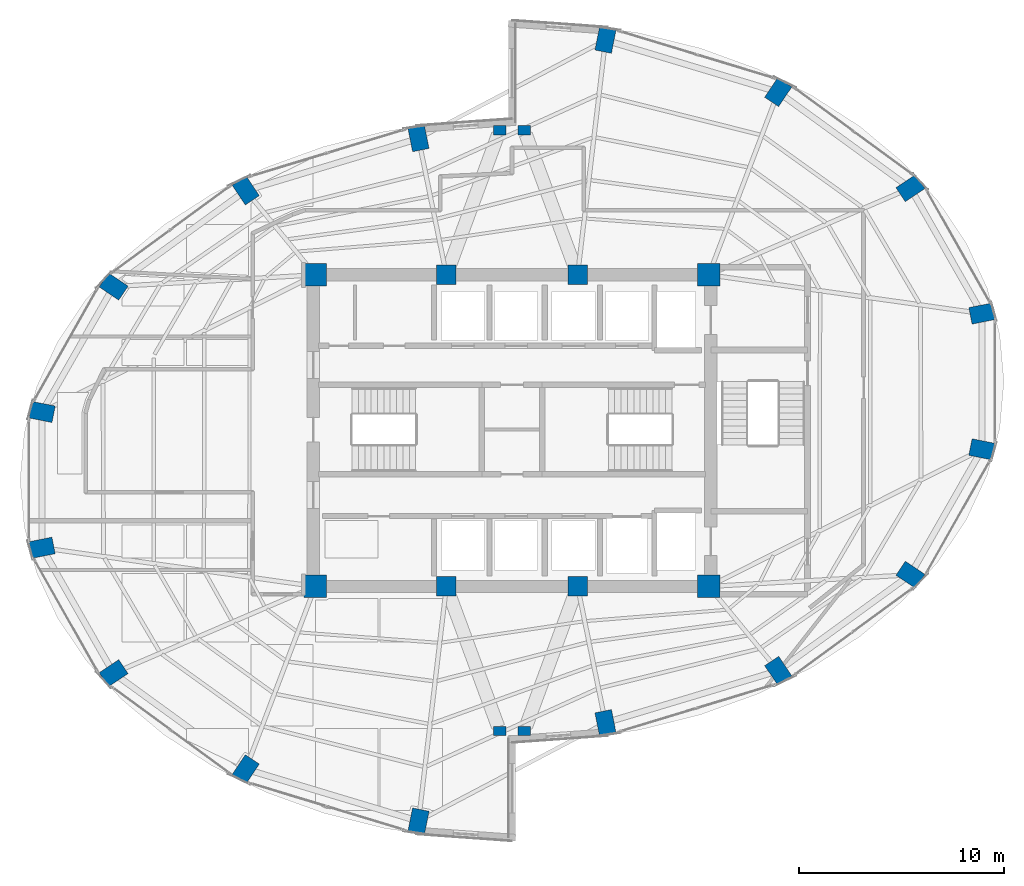
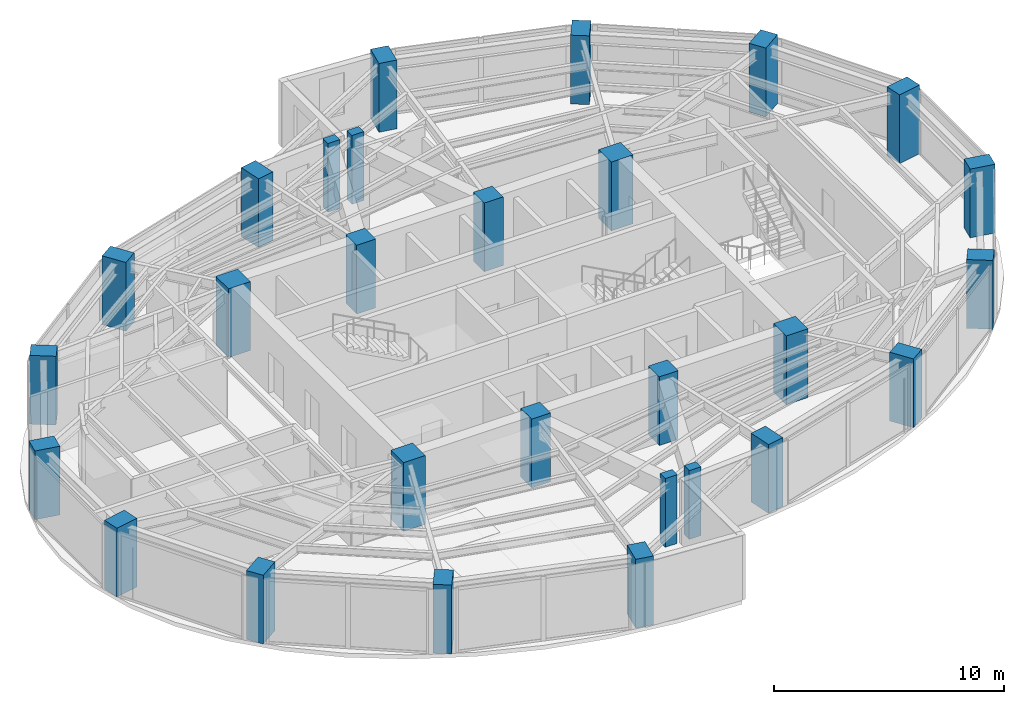
# One storey, part 1 of 20: 28 columns.
"""IFC4 building model written with IfcOpenShell, lengths in metres."""

from ifc_helpers import new_model, si_unit, direction, frame, origin, origin_2d, place, context, subcontext, project, spatial, rectangle, extrude, material, material_profile, profile_set, type_object, element, save


model = new_model("IFC4")

# Units and contexts
model_context = context("Model", 3, precision=1e-05, world=origin(), true_north=direction((0.0, 1.0)))
body_context = subcontext(model_context, "Body", "Model", "MODEL_VIEW")
ifc_project = project(units=[si_unit("LENGTHUNIT", "METRE"), si_unit("AREAUNIT", "SQUARE_METRE"), si_unit("VOLUMEUNIT", "CUBIC_METRE"), si_unit("PLANEANGLEUNIT", "RADIAN"), si_unit("MASSUNIT", "GRAM", prefix="KILO")], contexts=[model_context])

# Site, building, storey
site_placement = place(None, origin())
site = spatial("IfcSite", under=ifc_project, at=site_placement, CompositionType="ELEMENT")
building_placement = place(site_placement, origin())
building = spatial("IfcBuilding", under=site, at=building_placement, Name="Lazwardi Medical Tower", CompositionType="ELEMENT")
storey_placement = place(building_placement, frame((0.0, 0.0, 174.76806640625)))
storey = spatial("IfcBuildingStorey", under=building, at=storey_placement, Name="L45", CompositionType="ELEMENT", Elevation=174.76806640625)

# Columns
ifc_material_1 = material(Name="Concrete C80/95", Category="concrete")
ifc_material_profile_1 = material_profile(ifc_material_1, rectangle(XDim=1.10009765625, YDim=1.10009765625, at=origin_2d()), Name="RC 1100x1100")
ifc_profile_set_1 = profile_set([ifc_material_profile_1], Name="Concrete C80/95")
column_type_1 = type_object("IfcColumnType", Name="COL-CC-L", PredefinedType="COLUMN", material=ifc_profile_set_1)
for number, where, z_axis, x_axis, name in (
    (1, (26.39990234375, 20.39990234375, 0.0), (0.0, 0.0, 1.0), (1.0, 0.0, 0.0), "Core column CC-01 CC1 L45"),
    (2, (45.60009765625, 20.39990234375, 0.0), (0.0, 0.0, 1.0), (1.0, 0.0, 0.0), "Core column CC-01 CC4 L45"),
    (3, (45.60009765625, 35.60009765625, 0.0), (0.0, 0.0, 1.0), (1.0, 0.0, 0.0), "Core column CC-01 CC5 L45"),
    (4, (26.39990234375, 35.60009765625, 0.0), (0.0, 0.0, 1.0), (1.0, 0.0, 0.0), "Core column CC-01 CC8 L45"),
):
    element("IfcColumn", number, at=place(storey_placement, frame(where, z_axis=z_axis, x_axis=x_axis)), inside=storey, type_object=column_type_1, Name=name, PredefinedType="COLUMN", context=body_context, shape_type="SweptSolid", body=[
        extrude(rectangle(XDim=1.10009765625, YDim=1.10009765625, at=origin_2d()), origin(), (0.0, 0.0, 1.0), 3.64794921875),
    ])
ifc_material_2 = material(Name="Concrete C70/85", Category="concrete")
ifc_material_profile_2 = material_profile(ifc_material_2, rectangle(XDim=0.949951171875, YDim=0.949951171875, at=origin_2d()), Name="RC 950x950")
ifc_profile_set_2 = profile_set([ifc_material_profile_2], Name="Concrete C70/85")
column_type_2 = type_object("IfcColumnType", Name="COL-CC-M", PredefinedType="COLUMN", material=ifc_profile_set_2)
for number, where, z_axis, x_axis, name in (
    (5, (32.800048828125, 20.39990234375, 0.0), (0.0, 0.0, 1.0), (1.0, 0.0, 0.0), "Core column CC-02 CC2 L45"),
    (6, (39.199951171875, 20.39990234375, 0.0), (0.0, 0.0, 1.0), (1.0, 0.0, 0.0), "Core column CC-02 CC3 L45"),
    (7, (39.199951171875, 35.60009765625, 0.0), (0.0, 0.0, 1.0), (1.0, 0.0, 0.0), "Core column CC-02 CC6 L45"),
    (8, (32.800048828125, 35.60009765625, 0.0), (0.0, 0.0, 1.0), (1.0, 0.0, 0.0), "Core column CC-02 CC7 L45"),
):
    element("IfcColumn", number, at=place(storey_placement, frame(where, z_axis=z_axis, x_axis=x_axis)), inside=storey, type_object=column_type_2, Name=name, PredefinedType="COLUMN", context=body_context, shape_type="SweptSolid", body=[
        extrude(rectangle(XDim=0.949951171875, YDim=0.949951171875, at=origin_2d()), origin(), (0.0, 0.0, 1.0), 3.64794921875),
    ])
ifc_material_3 = material(Name="Concrete C60/75", Category="concrete")
ifc_material_profile_3 = material_profile(ifc_material_3, rectangle(XDim=1.14990234375, YDim=0.820068359375, at=origin_2d()), Name="CFT-RECT 1150x820")
ifc_profile_set_3 = profile_set([ifc_material_profile_3], Name="Concrete C60/75")
column_type_3 = type_object("IfcColumnType", Name="COL-MC-Z3", PredefinedType="COLUMN", material=ifc_profile_set_3)
for number, where, z_axis, x_axis, name in (
    (9, (40.560302734375, 13.751220703125, 0.0), (0.0, 0.0, 1.0), (0.195090322016, -0.980785280403, 0.0), "Mega column MC-05 M01 L45"),
    (10, (48.986572265625, 16.285888671875, 0.0), (0.0, 0.0, 1.0), (0.55557023302, -0.831469612303, 0.0), "Mega column MC-05 M02 L45"),
    (11, (55.435546875, 20.96923828125, 0.0), (0.0, 0.0, 1.0), (0.831469612303, -0.55557023302, 0.0), "Mega column MC-05 M03 L45"),
    (12, (58.92578125, 27.08837890625, 0.0), (0.0, 0.0, 1.0), (0.980785280403, -0.195090322016, 0.0), "Mega column MC-05 M04 L45"),
    (13, (58.92578125, 33.711669921875, 0.0), (0.0, 0.0, 1.0), (0.980785280403, 0.195090322016, 0.0), "Mega column MC-05 M05 L45"),
    (14, (55.435546875, 39.830810546875, 0.0), (0.0, 0.0, 1.0), (0.831469612303, 0.55557023302, 0.0), "Mega column MC-05 M06 L45"),
    (15, (48.986572265625, 44.51416015625, 0.0), (0.0, 0.0, 1.0), (0.55557023302, 0.831469612303, 0.0), "Mega column MC-05 M07 L45"),
    (16, (40.560302734375, 47.048828125, 0.0), (0.0, 0.0, 1.0), (0.195090322016, 0.980785280403, 0.0), "Mega column MC-05 M08 L45"),
    (17, (31.439697265625, 42.248779296875, 0.0), (0.0, 0.0, 1.0), (-0.195090322016, 0.980785280403, 0.0), "Mega column MC-05 M09 L45"),
    (18, (23.013427734375, 39.714111328125, 0.0), (0.0, 0.0, 1.0), (-0.55557023302, 0.831469612303, 0.0), "Mega column MC-05 M10 L45"),
    (19, (16.564453125, 35.03076171875, 0.0), (0.0, 0.0, 1.0), (-0.831469612303, 0.55557023302, 0.0), "Mega column MC-05 M11 L45"),
    (20, (13.07421875, 28.91162109375, 0.0), (0.0, 0.0, 1.0), (-0.980785280403, 0.195090322016, 0.0), "Mega column MC-05 M12 L45"),
    (21, (13.07421875, 22.288330078125, 0.0), (0.0, 0.0, 1.0), (-0.980785280403, -0.195090322016, 0.0), "Mega column MC-05 M13 L45"),
    (22, (16.564453125, 16.169189453125, 0.0), (0.0, 0.0, 1.0), (-0.831469612303, -0.55557023302, 0.0), "Mega column MC-05 M14 L45"),
    (23, (23.013427734375, 11.48583984375, 0.0), (0.0, 0.0, 1.0), (-0.55557023302, -0.831469612303, 0.0), "Mega column MC-05 M15 L45"),
    (24, (31.439697265625, 8.951171875, 0.0), (0.0, 0.0, 1.0), (-0.195090322016, -0.980785280403, 0.0), "Mega column MC-05 M16 L45"),
):
    element("IfcColumn", number, at=place(storey_placement, frame(where, z_axis=z_axis, x_axis=x_axis)), inside=storey, type_object=column_type_3, Name=name, PredefinedType="COLUMN", context=body_context, shape_type="SweptSolid", body=[
        extrude(rectangle(XDim=1.14990234375, YDim=0.820068359375, at=origin_2d()), origin(), (0.0, 0.0, 1.0), 3.64794921875),
    ])
ifc_material_profile_4 = material_profile(ifc_material_3, rectangle(XDim=0.60009765625, YDim=0.449951171875, at=origin_2d()), Name="RC 600x450")
ifc_profile_set_4 = profile_set([ifc_material_profile_4], Name="Concrete C60/75")
column_type_4 = type_object("IfcColumnType", Name="COL-PL-IW", PredefinedType="PILASTER", material=ifc_profile_set_4)
for number, where, z_axis, x_axis, name in (
    (25, (35.39990234375, 42.64990234375, 0.0), (0.0, 0.0, 1.0), (1.0, 0.0, 0.0), "Iwan pilaster column PL-C1 PL1 L45"),
    (26, (36.60009765625, 42.64990234375, 0.0), (0.0, 0.0, 1.0), (1.0, 0.0, 0.0), "Iwan pilaster column PL-C1 PL2 L45"),
    (27, (35.39990234375, 13.35009765625, 0.0), (0.0, 0.0, 1.0), (1.0, 0.0, 0.0), "Iwan pilaster column PL-C1 PL3 L45"),
    (28, (36.60009765625, 13.35009765625, 0.0), (0.0, 0.0, 1.0), (1.0, 0.0, 0.0), "Iwan pilaster column PL-C1 PL4 L45"),
):
    element("IfcColumn", number, at=place(storey_placement, frame(where, z_axis=z_axis, x_axis=x_axis)), inside=storey, type_object=column_type_4, Name=name, PredefinedType="PILASTER", context=body_context, shape_type="SweptSolid", body=[
        extrude(rectangle(XDim=0.60009765625, YDim=0.449951171875, at=origin_2d()), origin(), (0.0, 0.0, 1.0), 3.64794921875),
    ])

save(model, "model.ifc")
